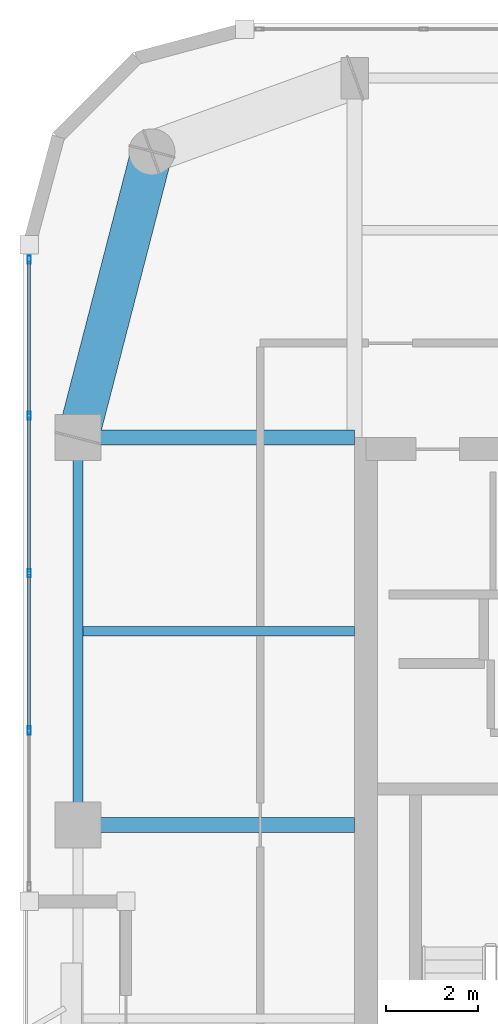
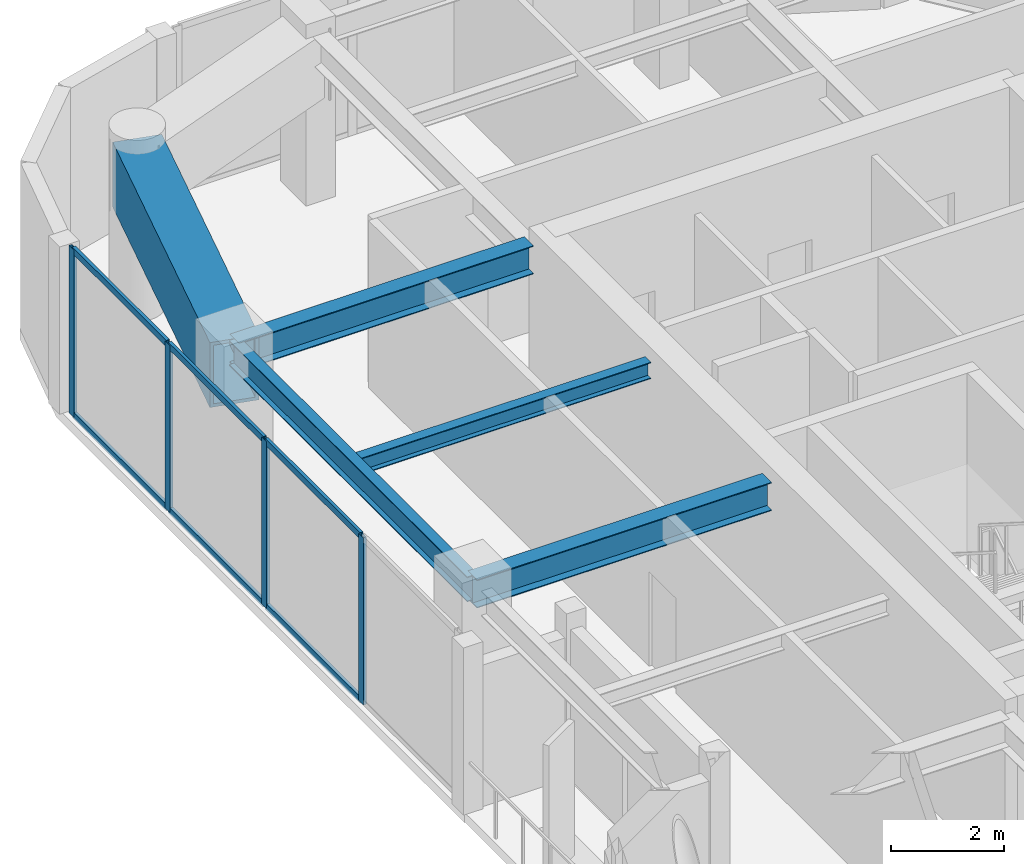
# One storey, part 4 of 15: 10 members, 5 beams, 1 element without a shape of its own.
"""IFC4 building model written with IfcOpenShell, lengths in metres."""

from ifc_helpers import new_model, si_unit, direction, frame, origin, origin_2d, place, context, subcontext, project, spatial, hollow_rectangle, i_section, extrude, material, layer, layer_set, material_profile, profile_set, type_object, element, aggregate, save


model = new_model("IFC4")

# Units and contexts
model_context = context("Model", 3, precision=1e-05, world=origin(), true_north=direction((0.0, 1.0)))
body_context = subcontext(model_context, "Body", "Model", "MODEL_VIEW")
ifc_project = project(units=[si_unit("LENGTHUNIT", "METRE"), si_unit("AREAUNIT", "SQUARE_METRE"), si_unit("VOLUMEUNIT", "CUBIC_METRE"), si_unit("PLANEANGLEUNIT", "RADIAN"), si_unit("MASSUNIT", "GRAM", prefix="KILO")], contexts=[model_context])

# Site, building, storey
site_placement = place(None, origin())
site = spatial("IfcSite", under=ifc_project, at=site_placement, CompositionType="ELEMENT")
building_placement = place(site_placement, origin())
building = spatial("IfcBuilding", under=site, at=building_placement, Name="Kiyonajd Concourse Tower", CompositionType="ELEMENT")
storey_placement = place(building_placement, frame((0.0, 0.0, 278.39990234375)))
storey = spatial("IfcBuildingStorey", under=building, at=storey_placement, Name="L70", CompositionType="ELEMENT", Elevation=278.39990234375)

# Beams
ifc_material_1 = material(Name="Steel ASTM A992 Grade 50", Category="steel")
ifc_material_profile_1 = material_profile(ifc_material_1, i_section(OverallWidth=0.205078125, OverallDepth=0.35400390625, WebThickness=0.009521484375, FlangeThickness=0.016845703125, at=origin_2d()), Name="W360X79")
ifc_profile_set_1 = profile_set([ifc_material_profile_1], Name="Steel ASTM A992 Grade 50")
beam_type_1 = type_object("IfcBeamType", Name="BM-JST-360", PredefinedType="JOIST", material=ifc_profile_set_1)
beam_1_placement = place(storey_placement, frame((26.505615234375, 40.199951171875, 3.423095703125), z_axis=(1.0, 0.0, 0.0), x_axis=(0.0, 1.0, 0.0)))
element("IfcBeam", 1, at=beam_1_placement, inside=storey, type_object=beam_type_1, Name="L70 West Secondary Floor Joist", PredefinedType="JOIST", context=body_context, shape_type="SweptSolid", body=[
    extrude(i_section(OverallWidth=0.205078125, OverallDepth=0.35400390625, WebThickness=0.009521484375, FlangeThickness=0.016845703125, at=origin_2d()), origin(), (0.0, 0.0, 1.0), 5.894287109375),
])
ifc_material_profile_2 = material_profile(ifc_material_1, i_section(OverallWidth=0.2109375, OverallDepth=0.5390625, WebThickness=0.01171875, FlangeThickness=0.018798828125, at=origin_2d()), Name="W530X109")
ifc_profile_set_2 = profile_set([ifc_material_profile_2], Name="Steel ASTM A992 Grade 50")
beam_type_2 = type_object("IfcBeamType", Name="BM-SPAN-530B", PredefinedType="SPANDREL", material=ifc_profile_set_2)
beam_2_placement = place(storey_placement, frame((26.39990234375, 44.39990234375, 3.33056640625), z_axis=(0.0, -1.0, 0.0), x_axis=(1.0, 0.0, 0.0)))
element("IfcBeam", 2, at=beam_2_placement, inside=storey, type_object=beam_type_2, Name="L70 Perimeter Bundled Tube Spandrel", PredefinedType="SPANDREL", context=body_context, shape_type="SweptSolid", body=[
    extrude(i_section(OverallWidth=0.2109375, OverallDepth=0.5390625, WebThickness=0.01171875, FlangeThickness=0.018798828125, at=origin_2d()), origin(), (0.0, 0.0, 1.0), 8.39990234375),
])
ifc_material_profile_3 = material_profile(ifc_material_1, i_section(OverallWidth=0.323974609375, OverallDepth=0.611083984375, WebThickness=0.0126953125, FlangeThickness=0.01904296875, at=origin_2d()), Name="W610X155")
ifc_profile_set_3 = profile_set([ifc_material_profile_3], Name="Steel ASTM A992 Grade 50")
beam_type_3 = type_object("IfcBeamType", Name="BM-TWR-610B", PredefinedType="BEAM", material=ifc_profile_set_3)
for number, where, z_axis, x_axis, name in (
    (3, (26.39990234375, 36.0, 3.294677734375), (1.0, 0.0, 0.0), (0.0, 1.0, 0.0), "L70 West Lease Girder"),
    (4, (26.39990234375, 44.39990234375, 3.294677734375), (1.0, 0.0, 0.0), (0.0, 1.0, 0.0), "L70 West Lease Girder"),
):
    element("IfcBeam", number, at=place(storey_placement, frame(where, z_axis=z_axis, x_axis=x_axis)), inside=storey, type_object=beam_type_3, Name=name, PredefinedType="BEAM", context=body_context, shape_type="SweptSolid", body=[
        extrude(i_section(OverallWidth=0.323974609375, OverallDepth=0.611083984375, WebThickness=0.0126953125, FlangeThickness=0.01904296875, at=origin_2d()), origin(), (0.0, 0.0, 1.0), 6.0),
    ])
ifc_material_2 = material(Name="Steel ASTM A572 Grade 50", Category="steel")
ifc_material_profile_4 = material_profile(ifc_material_2, hollow_rectangle(XDim=0.89990234375, YDim=1.39990234375, WallThickness=0.070068359375, at=origin_2d()), Name="BOX-1400x900x70")
ifc_profile_set_4 = profile_set([ifc_material_profile_4], Name="Steel ASTM A572 Grade 50")
beam_type_4 = type_object("IfcBeamType", Name="BM-XFER-1400", PredefinedType="BEAM", material=ifc_profile_set_4)
beam_3_placement = place(storey_placement, frame((28.0, 50.60009765625, 2.900146484375), z_axis=(-0.249884937687, -0.968275538221, 0.0), x_axis=(0.968275538221, -0.249884937687, 0.0)))
element("IfcBeam", 5, at=beam_3_placement, inside=storey, type_object=beam_type_4, Name="L70 Perimeter Bundled Tube Spandrel", PredefinedType="BEAM", context=body_context, shape_type="SweptSolid", body=[
    extrude(hollow_rectangle(XDim=0.89990234375, YDim=1.39990234375, WallThickness=0.070068359375, at=origin_2d()), origin(), (0.0, 0.0, 1.0), 6.4033203125),
])

# Curtain wall, members
ifc_material_3 = material(Name="Thermally Broken Anodised Aluminium", Category="aluminium")
ifc_layer = layer(ifc_material_3, 0.179931640625)
ifc_layer_set = layer_set([ifc_layer], Name="Thermally Broken Anodised Aluminium")
curtain_wall_type = type_object("IfcCurtainWallType", Name="CW-SYS-04", PredefinedType="NOTDEFINED", material=ifc_layer_set)
curtain_wall_placement = place(storey_placement, origin())
curtain_wall = element("IfcCurtainWall", 6, at=curtain_wall_placement, inside=storey, type_object=curtain_wall_type, Name="L70 Unitised Curtain Wall CW4", PredefinedType="NOTDEFINED")
ifc_material_profile_5 = material_profile(ifc_material_3, hollow_rectangle(XDim=0.06494140625, YDim=0.179931640625, WallThickness=0.00390625, at=origin_2d()), Name="MULL-65x180")
ifc_profile_set_5 = profile_set([ifc_material_profile_5], Name="Thermally Broken Anodised Aluminium")
member_type_1 = type_object("IfcMemberType", Name="MB-CW-MULL1", PredefinedType="MULLION", material=ifc_profile_set_5)
member_1_placement = place(storey_placement, frame((25.340087890625, 38.04541015625, 0.0), z_axis=(0.0, 0.0, 1.0), x_axis=(-1.0, 0.0, 0.0)))
member_1 = element("IfcMember", 7, at=member_1_placement, type_object=member_type_1, Name="CW4 mullion 2", PredefinedType="MULLION", context=body_context, shape_type="SweptSolid", body=[
    extrude(hollow_rectangle(XDim=0.06494140625, YDim=0.179931640625, WallThickness=0.00390625, at=origin_2d()), origin(), (0.0, 0.0, 1.0), 3.60009765625),
])
member_2_placement = place(storey_placement, frame((25.340087890625, 41.460693359375, 0.0), z_axis=(0.0, 0.0, 1.0), x_axis=(-1.0, 0.0, 0.0)))
member_2 = element("IfcMember", 8, at=member_2_placement, type_object=member_type_1, Name="CW4 mullion 3", PredefinedType="MULLION", context=body_context, shape_type="SweptSolid", body=[
    extrude(hollow_rectangle(XDim=0.06494140625, YDim=0.179931640625, WallThickness=0.00390625, at=origin_2d()), origin(), (0.0, 0.0, 1.0), 3.60009765625),
])
member_3_placement = place(storey_placement, frame((25.340087890625, 44.876220703125, 0.0), z_axis=(0.0, 0.0, 1.0), x_axis=(-1.0, 0.0, 0.0)))
member_3 = element("IfcMember", 9, at=member_3_placement, type_object=member_type_1, Name="CW4 mullion 4", PredefinedType="MULLION", context=body_context, shape_type="SweptSolid", body=[
    extrude(hollow_rectangle(XDim=0.06494140625, YDim=0.179931640625, WallThickness=0.00390625, at=origin_2d()), origin(), (0.0, 0.0, 1.0), 3.60009765625),
])
member_4_placement = place(storey_placement, frame((25.340087890625, 48.259033203125, 0.0), z_axis=(0.0, 0.0, 1.0), x_axis=(-1.0, 0.0, 0.0)))
member_4 = element("IfcMember", 10, at=member_4_placement, type_object=member_type_1, Name="CW4 mullion 5", PredefinedType="MULLION", context=body_context, shape_type="SweptSolid", body=[
    extrude(hollow_rectangle(XDim=0.06494140625, YDim=0.179931640625, WallThickness=0.00390625, at=origin_2d()), origin(), (0.0, 0.0, 1.0), 3.60009765625),
])
ifc_material_profile_6 = material_profile(ifc_material_3, hollow_rectangle(XDim=0.06494140625, YDim=0.139892578125, WallThickness=0.00390625, at=origin_2d()), Name="TRAN-65x140")
ifc_profile_set_6 = profile_set([ifc_material_profile_6], Name="Thermally Broken Anodised Aluminium")
member_type_2 = type_object("IfcMemberType", Name="MB-CW-TRAN1", PredefinedType="USERDEFINED", material=ifc_profile_set_6)
member_5_placement = place(storey_placement, frame((25.340087890625, 38.077880859375, 0.03271484375), z_axis=(0.0, 1.0, 0.0), x_axis=(-1.0, 0.0, 0.0)))
member_5 = element("IfcMember", 11, at=member_5_placement, type_object=member_type_2, Name="CW4 transom 2.1", ObjectType="TRANSOM", PredefinedType="USERDEFINED", context=body_context, shape_type="SweptSolid", body=[
    extrude(hollow_rectangle(XDim=0.06494140625, YDim=0.139892578125, WallThickness=0.00390625, at=origin_2d()), origin(), (0.0, 0.0, 1.0), 3.350341796875),
])
member_6_placement = place(storey_placement, frame((25.340087890625, 38.077880859375, 3.567626953125), z_axis=(0.0, 1.0, 0.0), x_axis=(-1.0, 0.0, 0.0)))
member_6 = element("IfcMember", 12, at=member_6_placement, type_object=member_type_2, Name="CW4 transom 2.2", ObjectType="TRANSOM", PredefinedType="USERDEFINED", context=body_context, shape_type="SweptSolid", body=[
    extrude(hollow_rectangle(XDim=0.06494140625, YDim=0.139892578125, WallThickness=0.00390625, at=origin_2d()), origin(), (0.0, 0.0, 1.0), 3.350341796875),
])
member_7_placement = place(storey_placement, frame((25.340087890625, 41.493408203125, 0.03271484375), z_axis=(0.0, 1.0, 0.0), x_axis=(-1.0, 0.0, 0.0)))
member_7 = element("IfcMember", 13, at=member_7_placement, type_object=member_type_2, Name="CW4 transom 3.1", ObjectType="TRANSOM", PredefinedType="USERDEFINED", context=body_context, shape_type="SweptSolid", body=[
    extrude(hollow_rectangle(XDim=0.06494140625, YDim=0.139892578125, WallThickness=0.00390625, at=origin_2d()), origin(), (0.0, 0.0, 1.0), 3.350341796875),
])
member_8_placement = place(storey_placement, frame((25.340087890625, 41.493408203125, 3.567626953125), z_axis=(0.0, 1.0, 0.0), x_axis=(-1.0, 0.0, 0.0)))
member_8 = element("IfcMember", 14, at=member_8_placement, type_object=member_type_2, Name="CW4 transom 3.2", ObjectType="TRANSOM", PredefinedType="USERDEFINED", context=body_context, shape_type="SweptSolid", body=[
    extrude(hollow_rectangle(XDim=0.06494140625, YDim=0.139892578125, WallThickness=0.00390625, at=origin_2d()), origin(), (0.0, 0.0, 1.0), 3.350341796875),
])
member_9_placement = place(storey_placement, frame((25.340087890625, 44.90869140625, 0.03271484375), z_axis=(0.0, 1.0, 0.0), x_axis=(-1.0, 0.0, 0.0)))
member_9 = element("IfcMember", 15, at=member_9_placement, type_object=member_type_2, Name="CW4 transom 4.1", ObjectType="TRANSOM", PredefinedType="USERDEFINED", context=body_context, shape_type="SweptSolid", body=[
    extrude(hollow_rectangle(XDim=0.06494140625, YDim=0.139892578125, WallThickness=0.00390625, at=origin_2d()), origin(), (0.0, 0.0, 1.0), 3.31787109375),
])
member_10_placement = place(storey_placement, frame((25.340087890625, 44.90869140625, 3.567626953125), z_axis=(0.0, 1.0, 0.0), x_axis=(-1.0, 0.0, 0.0)))
member_10 = element("IfcMember", 16, at=member_10_placement, type_object=member_type_2, Name="CW4 transom 4.2", ObjectType="TRANSOM", PredefinedType="USERDEFINED", context=body_context, shape_type="SweptSolid", body=[
    extrude(hollow_rectangle(XDim=0.06494140625, YDim=0.139892578125, WallThickness=0.00390625, at=origin_2d()), origin(), (0.0, 0.0, 1.0), 3.31787109375),
])
aggregate(curtain_wall, [member_1, member_2, member_3, member_4, member_5, member_6, member_7, member_8, member_9, member_10])

save(model, "model.ifc")
